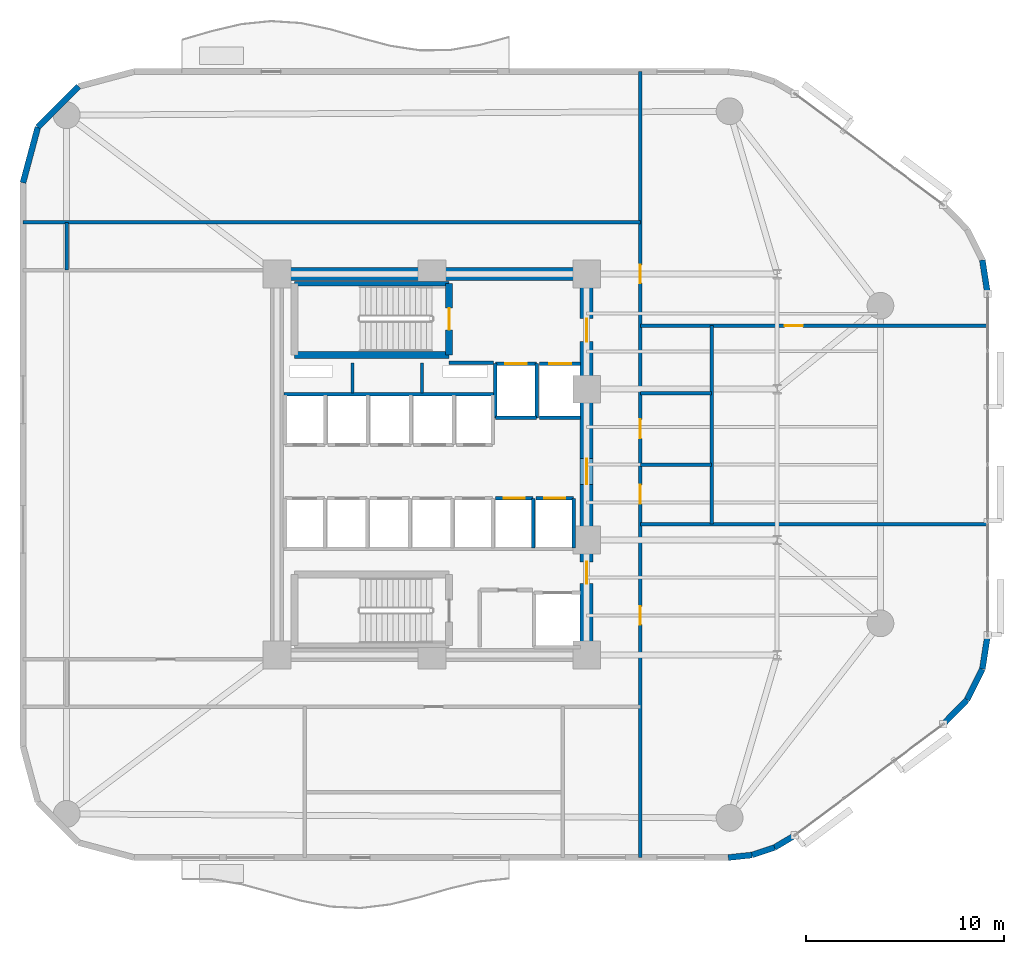
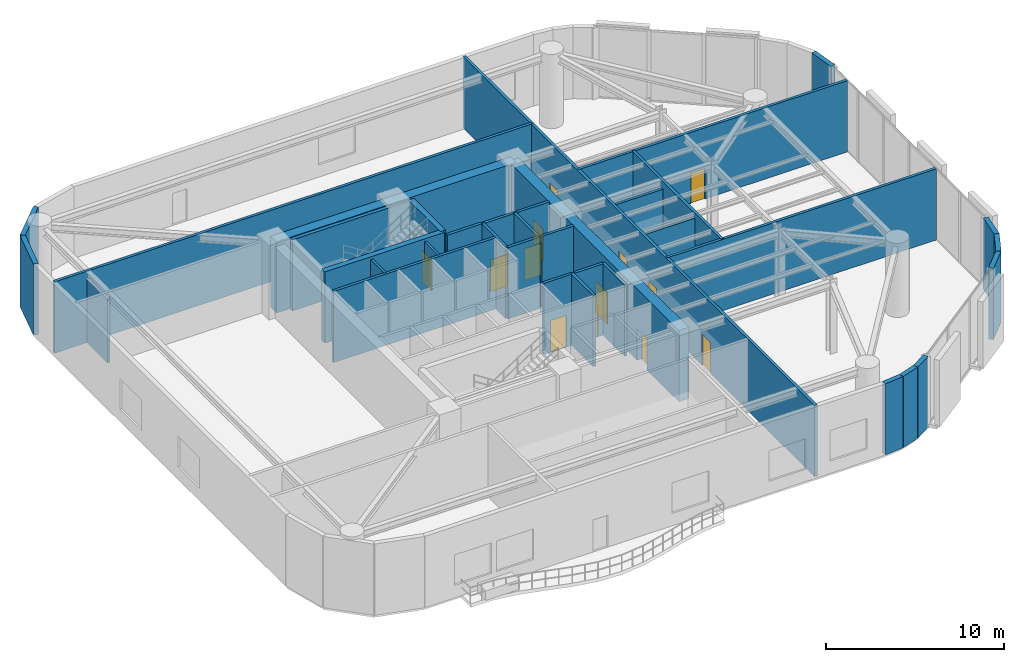
# One storey, part 11 of 14: 36 walls, 13 doors, 13 openings.
"""IFC4 building model written with IfcOpenShell, lengths in metres."""

from ifc_helpers import new_model, si_unit, direction, frame, frame_2d, origin, place, context, subcontext, project, spatial, rectangle, extrude, material, layer, layer_set, type_object, element, fill, save


model = new_model("IFC4")

# Units and contexts
model_context = context("Model", 3, precision=1e-05, world=origin(), true_north=direction((0.0, 1.0)))
body_context = subcontext(model_context, "Body", "Model", "MODEL_VIEW")
ifc_project = project(units=[si_unit("LENGTHUNIT", "METRE"), si_unit("AREAUNIT", "SQUARE_METRE"), si_unit("VOLUMEUNIT", "CUBIC_METRE"), si_unit("PLANEANGLEUNIT", "RADIAN"), si_unit("MASSUNIT", "GRAM", prefix="KILO")], contexts=[model_context])

# Site, building, storey
site_placement = place(None, origin())
site = spatial("IfcSite", under=ifc_project, at=site_placement, CompositionType="ELEMENT")
building_placement = place(site_placement, origin())
building = spatial("IfcBuilding", under=site, at=building_placement, Name="An Khanh Terracotta Commons", CompositionType="ELEMENT")
storey_placement = place(building_placement, frame((0.0, 0.0, 81.199951171875)))
storey = spatial("IfcBuildingStorey", under=building, at=storey_placement, Name="L21", CompositionType="ELEMENT", Elevation=81.199951171875)

# Wall
ifc_material_1 = material(Name="Concrete C60/75", Category="concrete")
ifc_layer_1 = layer(ifc_material_1, 0.64990234375, Name="Concrete C60/75")
ifc_layer_set_1 = layer_set([ifc_layer_1], Name="Concrete C60/75")
wall_type_1 = type_object("IfcWallType", Name="WALL-CORE-650", PredefinedType="SHEAR", material=ifc_layer_set_1)
wall_1_placement = place(storey_placement, frame((21.60009765625, 33.60009765625, 0.0), z_axis=(0.0, 0.0, 1.0), x_axis=(1.0, 0.0, 0.0)))
element("IfcWall", 1, at=wall_1_placement, inside=storey, type_object=wall_type_1, Name="L21 Core Wall CWALL-L21-N", PredefinedType="SHEAR", context=body_context, shape_type="SweptSolid", body=[
    extrude(rectangle(XDim=15.599853515625, YDim=0.64990234375, at=frame_2d((7.7998046875, 0.0))), origin(), (0.0, 0.0, 1.0), 4.900146484375),
])

# Wall, openings, doors
wall_2_placement = place(storey_placement, frame((37.199951171875, 14.39990234375, 0.0), z_axis=(0.0, 0.0, 1.0), x_axis=(0.0, 1.0, 0.0)))
wall_2 = element("IfcWall", 2, at=wall_2_placement, inside=storey, type_object=wall_type_1, Name="L21 Core Wall CWALL-L21-E", PredefinedType="SHEAR", context=body_context, shape_type="SweptSolid", body=[
    extrude(rectangle(XDim=19.2001953125, YDim=0.64990234375, at=frame_2d((9.60009765625, 0.0))), origin(), (0.0, 0.0, 1.0), 4.900146484375),
])
opening_1_placement = place(wall_2_placement, frame((15.800048828125, 0.0, 0.0)))
opening_1 = element("IfcOpeningElement", 3, at=opening_1_placement, cuts=wall_2, Name="Opening D-FFL", PredefinedType="OPENING", context=body_context, shape_type="SweptSolid", body=[
    extrude(rectangle(XDim=1.14990234375, YDim=2.14990234375, at=frame_2d((0.574951171875, 1.074951171875))), frame((0.0, 0.3349609375, 0.0), z_axis=(0.0, -1.0, 0.0), x_axis=(1.0, 0.0, 0.0)), (0.0, 0.0, 1.0), 0.669921875),
])
opening_2_placement = place(wall_2_placement, frame((3.60009765625, 0.0, 0.0)))
opening_2 = element("IfcOpeningElement", 4, at=opening_2_placement, cuts=wall_2, Name="Opening D-ST", PredefinedType="OPENING", context=body_context, shape_type="SweptSolid", body=[
    extrude(rectangle(XDim=1.10009765625, YDim=2.14990234375, at=frame_2d((0.550048828125, 1.074951171875))), frame((0.0, 0.3349609375, 0.0), z_axis=(0.0, -1.0, 0.0), x_axis=(1.0, 0.0, 0.0)), (0.0, 0.0, 1.0), 0.669921875),
])
opening_3_placement = place(wall_2_placement, frame((8.60009765625, 0.0, 0.0)))
opening_3 = element("IfcOpeningElement", 5, at=opening_3_placement, cuts=wall_2, Name="Opening D-COR", PredefinedType="OPENING", context=body_context, shape_type="SweptSolid", body=[
    extrude(rectangle(XDim=1.300048828125, YDim=2.199951171875, at=frame_2d((0.64990234375, 1.10009765625))), frame((0.0, 0.3349609375, 0.0), z_axis=(0.0, -1.0, 0.0), x_axis=(1.0, 0.0, 0.0)), (0.0, 0.0, 1.0), 0.669921875),
])
ifc_material_2 = material(Name="Fire-Rated Glazed Steel Double Door", Category="steel")
door_type_1 = type_object("IfcDoorType", Name="DOOR-CORR-1300", OperationType="NOTDEFINED", PredefinedType="DOOR", material=ifc_material_2)
door_1_placement = place(opening_3_placement, origin())
door_1 = element("IfcDoor", 6, at=door_1_placement, inside=storey, type_object=door_type_1, Name="L21 Passenger Lift Lobby Double Door", OperationType="DOUBLE_DOOR_SINGLE_SWING", OverallHeight=2.199951171875, OverallWidth=1.300048828125, PredefinedType="DOOR", context=body_context, shape_type="SweptSolid", body=[
    extrude(rectangle(XDim=1.300048828125, YDim=2.199951171875, at=frame_2d((0.64990234375, 1.10009765625))), frame((0.0, 0.02490234375, 0.0), z_axis=(0.0, -1.0, 0.0), x_axis=(1.0, 0.0, 0.0)), (0.0, 0.0, 1.0), 0.050048828125),
])
fill(opening_3, door_1)
ifc_material_3 = material(Name="Fire-Rated Steel Leaf and Vision Panel", Category="steel")
door_type_2 = type_object("IfcDoorType", Name="DOOR-FFL-1150", OperationType="NOTDEFINED", PredefinedType="DOOR", material=ifc_material_3)
door_2_placement = place(opening_1_placement, origin())
door_2 = element("IfcDoor", 7, at=door_2_placement, inside=storey, type_object=door_type_2, Name="L21 Firefighting Lift Lobby Fire Door", OperationType="SINGLE_SWING_LEFT", OverallHeight=2.14990234375, OverallWidth=1.14990234375, PredefinedType="DOOR", context=body_context, shape_type="SweptSolid", body=[
    extrude(rectangle(XDim=1.14990234375, YDim=2.14990234375, at=frame_2d((0.574951171875, 1.074951171875))), frame((0.0, 0.02490234375, 0.0), z_axis=(0.0, -1.0, 0.0), x_axis=(1.0, 0.0, 0.0)), (0.0, 0.0, 1.0), 0.050048828125),
])
fill(opening_1, door_2)
ifc_material_4 = material(Name="Fire-Rated Steel Leaf and Frame", Category="steel")
door_type_3 = type_object("IfcDoorType", Name="DOOR-STAIR-1100", OperationType="NOTDEFINED", PredefinedType="DOOR", material=ifc_material_4)
door_3_placement = place(opening_2_placement, origin())
door_3 = element("IfcDoor", 8, at=door_3_placement, inside=storey, type_object=door_type_3, Name="L21 South Stair Lobby Fire Door", OperationType="SINGLE_SWING_RIGHT", OverallHeight=2.14990234375, OverallWidth=1.10009765625, PredefinedType="DOOR", context=body_context, shape_type="SweptSolid", body=[
    extrude(rectangle(XDim=1.10009765625, YDim=2.14990234375, at=frame_2d((0.550048828125, 1.074951171875))), frame((0.0, 0.02490234375, 0.0), z_axis=(0.0, -1.0, 0.0), x_axis=(1.0, 0.0, 0.0)), (0.0, 0.0, 1.0), 0.050048828125),
])
fill(opening_2, door_3)

# Walls
ifc_material_5 = material(Name="Fire-Rated Gypsum Board on Steel Stud", Category="steel")
ifc_layer_2 = layer(ifc_material_5, 0.179931640625, Name="Fire-Rated Gypsum Board on Steel Stud")
ifc_layer_set_2 = layer_set([ifc_layer_2], Name="Fire-Rated Gypsum Board on Steel Stud")
wall_type_2 = type_object("IfcWallType", Name="WALL-CORR-180", PredefinedType="PARTITIONING", material=ifc_layer_set_2)
wall_3_placement = place(storey_placement, frame((30.27001953125, 29.1201171875, 0.0), z_axis=(0.0, 0.0, 1.0), x_axis=(1.0, 0.0, 0.0)))
element("IfcWall", 9, at=wall_3_placement, inside=storey, type_object=wall_type_2, Name="L21 Core Wall FFLW-L21-S", PredefinedType="PARTITIONING", context=body_context, shape_type="SweptSolid", body=[
    extrude(rectangle(XDim=2.239990234375, YDim=0.179931640625, at=frame_2d((1.1201171875, 0.0))), origin(), (0.0, 0.0, 1.0), 4.900146484375),
])
wall_4_placement = place(storey_placement, frame((21.949951171875, 27.5400390625, 0.0), z_axis=(0.0, 0.0, 1.0), x_axis=(1.0, 0.0, 0.0)))
element("IfcWall", 10, at=wall_4_placement, inside=storey, type_object=wall_type_2, Name="L21 Core Wall RSRW-L21-S", PredefinedType="PARTITIONING", context=body_context, shape_type="SweptSolid", body=[
    extrude(rectangle(XDim=10.56005859375, YDim=0.179931640625, at=frame_2d((5.280029296875, 0.0))), origin(), (0.0, 0.0, 1.0), 4.900146484375),
])

# Wall, opening, door
wall_5_placement = place(storey_placement, frame((32.60009765625, 29.080078125, 0.0), z_axis=(0.0, 0.0, 1.0), x_axis=(1.0, 0.0, 0.0)))
wall_5 = element("IfcWall", 11, at=wall_5_placement, inside=storey, type_object=wall_type_2, Name="L21 Core Wall LSH-L21-FFL-01-N", PredefinedType="PARTITIONING", context=body_context, shape_type="SweptSolid", body=[
    extrude(rectangle(XDim=2.079833984375, YDim=0.179931640625, at=frame_2d((1.0400390625, 0.0))), origin(), (0.0, 0.0, 1.0), 4.900146484375),
])
opening_4_placement = place(wall_5_placement, frame((0.489990234375, 0.0, 0.0)))
opening_4 = element("IfcOpeningElement", 12, at=opening_4_placement, cuts=wall_5, Name="Opening LD-FFL-01-L21", PredefinedType="OPENING", context=body_context, shape_type="SweptSolid", body=[
    extrude(rectangle(XDim=1.10009765625, YDim=2.199951171875, at=frame_2d((0.550048828125, 1.10009765625))), frame((0.0, 0.099853515625, 0.0), z_axis=(0.0, -1.0, 0.0), x_axis=(1.0, 0.0, 0.0)), (0.0, 0.0, 1.0), 0.199951171875),
])
ifc_material_6 = material(Name="Brushed Stainless Steel Fire Landing Door", Category="steel")
door_type_4 = type_object("IfcDoorType", Name="DOOR-LD-FFL-1100", OperationType="NOTDEFINED", PredefinedType="DOOR", material=ifc_material_6)
door_4_placement = place(opening_4_placement, origin())
door_4 = element("IfcDoor", 13, at=door_4_placement, inside=storey, type_object=door_type_4, Name="L21 Lift FFL-01 Sliding Landing Door", OperationType="DOUBLE_DOOR_SLIDING", OverallHeight=2.199951171875, OverallWidth=1.10009765625, PredefinedType="DOOR", context=body_context, shape_type="SweptSolid", body=[
    extrude(rectangle(XDim=1.10009765625, YDim=2.199951171875, at=frame_2d((0.550048828125, 1.10009765625))), frame((0.0, 0.02490234375, 0.0), z_axis=(0.0, -1.0, 0.0), x_axis=(1.0, 0.0, 0.0)), (0.0, 0.0, 1.0), 0.050048828125),
])
fill(opening_4, door_4)

# Walls
wall_6_placement = place(storey_placement, frame((34.679931640625, 26.35009765625, 0.0), z_axis=(0.0, 0.0, 1.0), x_axis=(-1.0, 0.0, 0.0)))
element("IfcWall", 14, at=wall_6_placement, inside=storey, type_object=wall_type_2, Name="L21 Core Wall LSH-L21-FFL-01-S", PredefinedType="PARTITIONING", context=body_context, shape_type="SweptSolid", body=[
    extrude(rectangle(XDim=2.079833984375, YDim=0.179931640625, at=frame_2d((1.0400390625, 0.0))), origin(), (0.0, 0.0, 1.0), 4.900146484375),
])
for number, where, z_axis, x_axis, name in (
    (15, (34.679931640625, 26.35009765625, 0.0), (0.0, 0.0, 1.0), (0.0, 1.0, 0.0), "L21 Core Wall LSH-L21-FFL-01-E"),
    (16, (32.60009765625, 29.080078125, 0.0), (0.0, 0.0, 1.0), (0.0, -1.0, 0.0), "L21 Core Wall LSH-L21-FFL-01-W"),
):
    element("IfcWall", number, at=place(storey_placement, frame(where, z_axis=z_axis, x_axis=x_axis)), inside=storey, type_object=wall_type_2, Name=name, PredefinedType="PARTITIONING", context=body_context, shape_type="SweptSolid", body=[
        extrude(rectangle(XDim=2.72998046875, YDim=0.179931640625, at=frame_2d((1.364990234375, 0.0))), origin(), (0.0, 0.0, 1.0), 4.900146484375),
    ])

# Wall, opening, door
wall_7_placement = place(storey_placement, frame((34.820068359375, 29.080078125, 0.0), z_axis=(0.0, 0.0, 1.0), x_axis=(1.0, 0.0, 0.0)))
wall_7 = element("IfcWall", 17, at=wall_7_placement, inside=storey, type_object=wall_type_2, Name="L21 Core Wall LSH-L21-FFL-02-N", PredefinedType="PARTITIONING", context=body_context, shape_type="SweptSolid", body=[
    extrude(rectangle(XDim=2.079833984375, YDim=0.179931640625, at=frame_2d((1.0400390625, 0.0))), origin(), (0.0, 0.0, 1.0), 4.900146484375),
])
opening_5_placement = place(wall_7_placement, frame((0.489990234375, 0.0, 0.0)))
opening_5 = element("IfcOpeningElement", 18, at=opening_5_placement, cuts=wall_7, Name="Opening LD-FFL-02-L21", PredefinedType="OPENING", context=body_context, shape_type="SweptSolid", body=[
    extrude(rectangle(XDim=1.10009765625, YDim=2.199951171875, at=frame_2d((0.550048828125, 1.10009765625))), frame((0.0, 0.099853515625, 0.0), z_axis=(0.0, -1.0, 0.0), x_axis=(1.0, 0.0, 0.0)), (0.0, 0.0, 1.0), 0.199951171875),
])
door_5_placement = place(opening_5_placement, origin())
door_5 = element("IfcDoor", 19, at=door_5_placement, inside=storey, type_object=door_type_4, Name="L21 Lift FFL-02 Sliding Landing Door", OperationType="DOUBLE_DOOR_SLIDING", OverallHeight=2.199951171875, OverallWidth=1.10009765625, PredefinedType="DOOR", context=body_context, shape_type="SweptSolid", body=[
    extrude(rectangle(XDim=1.10009765625, YDim=2.199951171875, at=frame_2d((0.550048828125, 1.10009765625))), frame((0.0, 0.02490234375, 0.0), z_axis=(0.0, -1.0, 0.0), x_axis=(1.0, 0.0, 0.0)), (0.0, 0.0, 1.0), 0.050048828125),
])
fill(opening_5, door_5)

# Wall
wall_8_placement = place(storey_placement, frame((36.89990234375, 26.35009765625, 0.0), z_axis=(0.0, 0.0, 1.0), x_axis=(-1.0, 0.0, 0.0)))
element("IfcWall", 20, at=wall_8_placement, inside=storey, type_object=wall_type_2, Name="L21 Core Wall LSH-L21-FFL-02-S", PredefinedType="PARTITIONING", context=body_context, shape_type="SweptSolid", body=[
    extrude(rectangle(XDim=2.079833984375, YDim=0.179931640625, at=frame_2d((1.0400390625, 0.0))), origin(), (0.0, 0.0, 1.0), 4.900146484375),
])

# Wall, opening, door
wall_9_placement = place(storey_placement, frame((32.60009765625, 22.300048828125, 0.0), z_axis=(0.0, 0.0, 1.0), x_axis=(1.0, 0.0, 0.0)))
wall_9 = element("IfcWall", 21, at=wall_9_placement, inside=storey, type_object=wall_type_2, Name="L21 Core Wall LSH-L21-PL-H3-N", PredefinedType="PARTITIONING", context=body_context, shape_type="SweptSolid", body=[
    extrude(rectangle(XDim=1.89990234375, YDim=0.179931640625, at=frame_2d((0.949951171875, 0.0))), origin(), (0.0, 0.0, 1.0), 4.900146484375),
])
opening_6_placement = place(wall_9_placement, frame((0.425048828125, 0.0, 0.0)))
opening_6 = element("IfcOpeningElement", 22, at=opening_6_placement, cuts=wall_9, Name="Opening LD-PL-H3-L21", PredefinedType="OPENING", context=body_context, shape_type="SweptSolid", body=[
    extrude(rectangle(XDim=1.050048828125, YDim=2.199951171875, at=frame_2d((0.52490234375, 1.10009765625))), frame((0.0, 0.099853515625, 0.0), z_axis=(0.0, -1.0, 0.0), x_axis=(1.0, 0.0, 0.0)), (0.0, 0.0, 1.0), 0.199951171875),
])
ifc_material_7 = material(Name="Brushed Stainless Steel High-Rise Landing Door", Category="steel")
door_type_5 = type_object("IfcDoorType", Name="DOOR-LD-PAXH-1050", OperationType="NOTDEFINED", PredefinedType="DOOR", material=ifc_material_7)
door_6_placement = place(opening_6_placement, origin())
door_6 = element("IfcDoor", 23, at=door_6_placement, inside=storey, type_object=door_type_5, Name="L21 Lift PL-H3 Sliding Landing Door", OperationType="DOUBLE_DOOR_SLIDING", OverallHeight=2.199951171875, OverallWidth=1.050048828125, PredefinedType="DOOR", context=body_context, shape_type="SweptSolid", body=[
    extrude(rectangle(XDim=1.050048828125, YDim=2.199951171875, at=frame_2d((0.52490234375, 1.10009765625))), frame((0.0, 0.02490234375, 0.0), z_axis=(0.0, -1.0, 0.0), x_axis=(1.0, 0.0, 0.0)), (0.0, 0.0, 1.0), 0.050048828125),
])
fill(opening_6, door_6)

# Wall
wall_10_placement = place(storey_placement, frame((34.5, 19.800048828125, 0.0), z_axis=(0.0, 0.0, 1.0), x_axis=(0.0, 1.0, 0.0)))
element("IfcWall", 24, at=wall_10_placement, inside=storey, type_object=wall_type_2, Name="L21 Core Wall LSH-L21-PL-H3-E", PredefinedType="PARTITIONING", context=body_context, shape_type="SweptSolid", body=[
    extrude(rectangle(XDim=2.5, YDim=0.179931640625, at=frame_2d((1.25, 0.0))), origin(), (0.0, 0.0, 1.0), 4.900146484375),
])

# Wall, opening, door
wall_11_placement = place(storey_placement, frame((34.639892578125, 22.300048828125, 0.0), z_axis=(0.0, 0.0, 1.0), x_axis=(1.0, 0.0, 0.0)))
wall_11 = element("IfcWall", 25, at=wall_11_placement, inside=storey, type_object=wall_type_2, Name="L21 Core Wall LSH-L21-PL-H4-N", PredefinedType="PARTITIONING", context=body_context, shape_type="SweptSolid", body=[
    extrude(rectangle(XDim=1.900146484375, YDim=0.179931640625, at=frame_2d((0.9501953125, 0.0))), origin(), (0.0, 0.0, 1.0), 4.900146484375),
])
opening_7_placement = place(wall_11_placement, frame((0.425048828125, 0.0, 0.0)))
opening_7 = element("IfcOpeningElement", 26, at=opening_7_placement, cuts=wall_11, Name="Opening LD-PL-H4-L21", PredefinedType="OPENING", context=body_context, shape_type="SweptSolid", body=[
    extrude(rectangle(XDim=1.050048828125, YDim=2.199951171875, at=frame_2d((0.52490234375, 1.10009765625))), frame((0.0, 0.099853515625, 0.0), z_axis=(0.0, -1.0, 0.0), x_axis=(1.0, 0.0, 0.0)), (0.0, 0.0, 1.0), 0.199951171875),
])
door_7_placement = place(opening_7_placement, origin())
door_7 = element("IfcDoor", 27, at=door_7_placement, inside=storey, type_object=door_type_5, Name="L21 Lift PL-H4 Sliding Landing Door", OperationType="DOUBLE_DOOR_SLIDING", OverallHeight=2.199951171875, OverallWidth=1.050048828125, PredefinedType="DOOR", context=body_context, shape_type="SweptSolid", body=[
    extrude(rectangle(XDim=1.050048828125, YDim=2.199951171875, at=frame_2d((0.52490234375, 1.10009765625))), frame((0.0, 0.02490234375, 0.0), z_axis=(0.0, -1.0, 0.0), x_axis=(1.0, 0.0, 0.0)), (0.0, 0.0, 1.0), 0.050048828125),
])
fill(opening_7, door_7)

# Walls
wall_12_placement = place(storey_placement, frame((36.5400390625, 19.800048828125, 0.0), z_axis=(0.0, 0.0, 1.0), x_axis=(0.0, 1.0, 0.0)))
element("IfcWall", 28, at=wall_12_placement, inside=storey, type_object=wall_type_2, Name="L21 Core Wall LSH-L21-PL-H4-E", PredefinedType="PARTITIONING", context=body_context, shape_type="SweptSolid", body=[
    extrude(rectangle(XDim=2.5, YDim=0.179931640625, at=frame_2d((1.25, 0.0))), origin(), (0.0, 0.0, 1.0), 4.900146484375),
])
wall_13_placement = place(storey_placement, frame((39.89990234375, 21.0, 0.0), z_axis=(0.0, 0.0, 1.0), x_axis=(1.0, 0.0, 0.0)))
element("IfcWall", 29, at=wall_13_placement, inside=storey, type_object=wall_type_2, Name="L21 Interior Partition IW-L21-E004", PredefinedType="PARTITIONING", context=body_context, shape_type="SweptSolid", body=[
    extrude(rectangle(XDim=17.5, YDim=0.179931640625, at=frame_2d((8.75, 0.0))), origin(), (0.0, 0.0, 1.0), 4.900146484375),
])
wall_14_placement = place(storey_placement, frame((39.89990234375, 24.0, 0.0), z_axis=(0.0, 0.0, 1.0), x_axis=(1.0, 0.0, 0.0)))
element("IfcWall", 30, at=wall_14_placement, inside=storey, type_object=wall_type_2, Name="L21 Interior Partition IW-L21-E005", PredefinedType="PARTITIONING", context=body_context, shape_type="SweptSolid", body=[
    extrude(rectangle(XDim=3.60009765625, YDim=0.179931640625, at=frame_2d((1.800048828125, 0.0))), origin(), (0.0, 0.0, 1.0), 4.58203125),
])
wall_15_placement = place(storey_placement, frame((39.89990234375, 27.60009765625, 0.0), z_axis=(0.0, 0.0, 1.0), x_axis=(1.0, 0.0, 0.0)))
element("IfcWall", 31, at=wall_15_placement, inside=storey, type_object=wall_type_2, Name="L21 Interior Partition IW-L21-E006", PredefinedType="PARTITIONING", context=body_context, shape_type="SweptSolid", body=[
    extrude(rectangle(XDim=3.60009765625, YDim=0.179931640625, at=frame_2d((1.800048828125, 0.0))), origin(), (0.0, 0.0, 1.0), 4.382080078125),
])

# Wall, opening, door
wall_16_placement = place(storey_placement, frame((39.89990234375, 31.0, 0.0), z_axis=(0.0, 0.0, 1.0), x_axis=(1.0, 0.0, 0.0)))
wall_16 = element("IfcWall", 32, at=wall_16_placement, inside=storey, type_object=wall_type_2, Name="L21 Interior Partition IW-L21-E007", PredefinedType="PARTITIONING", context=body_context, shape_type="SweptSolid", body=[
    extrude(rectangle(XDim=17.5, YDim=0.179931640625, at=frame_2d((8.75, 0.0))), origin(), (0.0, 0.0, 1.0), 4.900146484375),
])
opening_8_placement = place(wall_16_placement, frame((7.278076171875, 0.0, 0.0)))
opening_8 = element("IfcOpeningElement", 33, at=opening_8_placement, cuts=wall_16, Name="Opening D-RM", PredefinedType="OPENING", context=body_context, shape_type="SweptSolid", body=[
    extrude(rectangle(XDim=0.919921875, YDim=2.10009765625, at=frame_2d((0.4599609375, 1.050048828125))), frame((0.0, 0.099853515625, 0.0), z_axis=(0.0, -1.0, 0.0), x_axis=(1.0, 0.0, 0.0)), (0.0, 0.0, 1.0), 0.199951171875),
])
ifc_material_8 = material(Name="Engineered Hardwood Timber Leaf", Category="wood")
door_type_6 = type_object("IfcDoorType", Name="DOOR-INT-920", OperationType="NOTDEFINED", PredefinedType="DOOR", material=ifc_material_8)
door_8_placement = place(opening_8_placement, origin())
door_8 = element("IfcDoor", 34, at=door_8_placement, inside=storey, type_object=door_type_6, Name="L21 SKIT Low-Mid Sky Culinary Hub Door", OperationType="SINGLE_SWING_RIGHT", OverallHeight=2.10009765625, OverallWidth=0.919921875, PredefinedType="DOOR", context=body_context, shape_type="SweptSolid", body=[
    extrude(rectangle(XDim=0.919921875, YDim=2.10009765625, at=frame_2d((0.4599609375, 1.050048828125))), frame((0.0, 0.02490234375, 0.0), z_axis=(0.0, -1.0, 0.0), x_axis=(1.0, 0.0, 0.0)), (0.0, 0.0, 1.0), 0.050048828125),
])
fill(opening_8, door_8)

# Walls
wall_17_placement = place(storey_placement, frame((8.800048828125, 36.199951171875, 0.0), z_axis=(0.0, 0.0, 1.0), x_axis=(1.0, 0.0, 0.0)))
element("IfcWall", 35, at=wall_17_placement, inside=storey, type_object=wall_type_2, Name="L21 Interior Partition IW-L21-E009", PredefinedType="PARTITIONING", context=body_context, shape_type="SweptSolid", body=[
    extrude(rectangle(XDim=31.099853515625, YDim=0.179931640625, at=frame_2d((15.5498046875, 0.0))), origin(), (0.0, 0.0, 1.0), 4.900146484375),
])
wall_18_placement = place(storey_placement, frame((11.0, 33.800048828125, 0.0), z_axis=(0.0, 0.0, 1.0), x_axis=(0.0, 1.0, 0.0)))
element("IfcWall", 36, at=wall_18_placement, inside=storey, type_object=wall_type_2, Name="L21 Interior Partition IW-L21-E011", PredefinedType="PARTITIONING", context=body_context, shape_type="SweptSolid", body=[
    extrude(rectangle(XDim=2.39990234375, YDim=0.179931640625, at=frame_2d((1.199951171875, 0.0))), origin(), (0.0, 0.0, 1.0), 4.382080078125),
])

# Wall, openings, doors
wall_19_placement = place(storey_placement, frame((39.89990234375, 4.199951171875, 0.0), z_axis=(0.0, 0.0, 1.0), x_axis=(0.0, 1.0, 0.0)))
wall_19 = element("IfcWall", 37, at=wall_19_placement, inside=storey, type_object=wall_type_2, Name="L21 Interior Partition IW-L21-E014", PredefinedType="PARTITIONING", context=body_context, shape_type="SweptSolid", body=[
    extrude(rectangle(XDim=39.60009765625, YDim=0.179931640625, at=frame_2d((19.800048828125, 0.0))), origin(), (0.0, 0.0, 1.0), 4.900146484375),
])
opening_9_placement = place(wall_19_placement, frame((17.824951171875, 0.0, 0.0)))
opening_9 = element("IfcOpeningElement", 38, at=opening_9_placement, cuts=wall_19, Name="Opening D-LWC", PredefinedType="OPENING", context=body_context, shape_type="SweptSolid", body=[
    extrude(rectangle(XDim=0.949951171875, YDim=2.14990234375, at=frame_2d((0.47509765625, 1.074951171875))), frame((0.0, 0.099853515625, 0.0), z_axis=(0.0, -1.0, 0.0), x_axis=(1.0, 0.0, 0.0)), (0.0, 0.0, 1.0), 0.199951171875),
])
opening_10_placement = place(wall_19_placement, frame((21.125, 0.0, 0.0)))
opening_10 = element("IfcOpeningElement", 39, at=opening_10_placement, cuts=wall_19, Name="Opening D-LWC", PredefinedType="OPENING", context=body_context, shape_type="SweptSolid", body=[
    extrude(rectangle(XDim=0.949951171875, YDim=2.14990234375, at=frame_2d((0.47509765625, 1.074951171875))), frame((0.0, 0.099853515625, 0.0), z_axis=(0.0, -1.0, 0.0), x_axis=(1.0, 0.0, 0.0)), (0.0, 0.0, 1.0), 0.199951171875),
])
opening_11_placement = place(wall_19_placement, frame((28.93994140625, 0.0, 0.0)))
opening_11 = element("IfcOpeningElement", 40, at=opening_11_placement, cuts=wall_19, Name="Opening D-RM", PredefinedType="OPENING", context=body_context, shape_type="SweptSolid", body=[
    extrude(rectangle(XDim=0.919921875, YDim=2.10009765625, at=frame_2d((0.4599609375, 1.050048828125))), frame((0.0, 0.099853515625, 0.0), z_axis=(0.0, -1.0, 0.0), x_axis=(1.0, 0.0, 0.0)), (0.0, 0.0, 1.0), 0.199951171875),
])
opening_12_placement = place(wall_19_placement, frame((11.739990234375, 0.0, 0.0)))
opening_12 = element("IfcOpeningElement", 41, at=opening_12_placement, cuts=wall_19, Name="Opening D-RM", PredefinedType="OPENING", context=body_context, shape_type="SweptSolid", body=[
    extrude(rectangle(XDim=0.919921875, YDim=2.10009765625, at=frame_2d((0.4599609375, 1.050048828125))), frame((0.0, 0.099853515625, 0.0), z_axis=(0.0, -1.0, 0.0), x_axis=(1.0, 0.0, 0.0)), (0.0, 0.0, 1.0), 0.199951171875),
])
door_9_placement = place(opening_11_placement, origin())
door_9 = element("IfcDoor", 42, at=door_9_placement, inside=storey, type_object=door_type_6, Name="L21 SLNG Riverfront Reading Lounge Door", OperationType="SINGLE_SWING_LEFT", OverallHeight=2.10009765625, OverallWidth=0.919921875, PredefinedType="DOOR", context=body_context, shape_type="SweptSolid", body=[
    extrude(rectangle(XDim=0.919921875, YDim=2.10009765625, at=frame_2d((0.4599609375, 1.050048828125))), frame((0.0, 0.02490234375, 0.0), z_axis=(0.0, -1.0, 0.0), x_axis=(1.0, 0.0, 0.0)), (0.0, 0.0, 1.0), 0.050048828125),
])
fill(opening_11, door_9)
door_10_placement = place(opening_12_placement, origin())
door_10 = element("IfcDoor", 43, at=door_10_placement, inside=storey, type_object=door_type_6, Name="L21 SSEM Postgraduate Colloquium Room Door", OperationType="SINGLE_SWING_RIGHT", OverallHeight=2.10009765625, OverallWidth=0.919921875, PredefinedType="DOOR", context=body_context, shape_type="SweptSolid", body=[
    extrude(rectangle(XDim=0.919921875, YDim=2.10009765625, at=frame_2d((0.4599609375, 1.050048828125))), frame((0.0, 0.02490234375, 0.0), z_axis=(0.0, -1.0, 0.0), x_axis=(1.0, 0.0, 0.0)), (0.0, 0.0, 1.0), 0.050048828125),
])
fill(opening_12, door_10)
ifc_material_9 = material(Name="Fire-Rated Moisture-Resistant Laminate Timber Leaf", Category="wood")
door_type_7 = type_object("IfcDoorType", Name="DOOR-LOBWC-950", OperationType="NOTDEFINED", PredefinedType="DOOR", material=ifc_material_9)
door_11_placement = place(opening_9_placement, origin())
door_11 = element("IfcDoor", 44, at=door_11_placement, inside=storey, type_object=door_type_7, Name="L21 AWC Sky Lobby Accessible WC Door", OperationType="SINGLE_SWING_RIGHT", OverallHeight=2.14990234375, OverallWidth=0.949951171875, PredefinedType="DOOR", context=body_context, shape_type="SweptSolid", body=[
    extrude(rectangle(XDim=0.949951171875, YDim=2.14990234375, at=frame_2d((0.47509765625, 1.074951171875))), frame((0.0, 0.02490234375, 0.0), z_axis=(0.0, -1.0, 0.0), x_axis=(1.0, 0.0, 0.0)), (0.0, 0.0, 1.0), 0.050048828125),
])
fill(opening_9, door_11)
door_12_placement = place(opening_10_placement, origin())
door_12 = element("IfcDoor", 45, at=door_12_placement, inside=storey, type_object=door_type_7, Name="L21 WCB Sky Lobby Public Restrooms Door", OperationType="SINGLE_SWING_LEFT", OverallHeight=2.14990234375, OverallWidth=0.949951171875, PredefinedType="DOOR", context=body_context, shape_type="SweptSolid", body=[
    extrude(rectangle(XDim=0.949951171875, YDim=2.14990234375, at=frame_2d((0.47509765625, 1.074951171875))), frame((0.0, 0.02490234375, 0.0), z_axis=(0.0, -1.0, 0.0), x_axis=(1.0, 0.0, 0.0)), (0.0, 0.0, 1.0), 0.050048828125),
])
fill(opening_10, door_12)

# Walls
wall_20_placement = place(storey_placement, frame((43.5, 21.0, 0.0), z_axis=(0.0, 0.0, 1.0), x_axis=(0.0, 1.0, 0.0)))
element("IfcWall", 46, at=wall_20_placement, inside=storey, type_object=wall_type_2, Name="L21 Interior Partition IW-L21-E015", PredefinedType="PARTITIONING", context=body_context, shape_type="SweptSolid", body=[
    extrude(rectangle(XDim=10.0, YDim=0.179931640625, at=frame_2d((5.0, 0.0))), origin(), (0.0, 0.0, 1.0), 4.900146484375),
])
ifc_material_10 = material(Name="Precast concrete C40/50", Category="concrete")
ifc_layer_3 = layer(ifc_material_10, 0.300048828125, Name="Precast concrete C40/50")
ifc_layer_set_3 = layer_set([ifc_layer_3], Name="Precast concrete C40/50")
wall_type_3 = type_object("IfcWallType", Name="WALL-EXT-300", PredefinedType="SOLIDWALL", material=ifc_layer_set_3)
wall_21_placement = place(storey_placement, frame((44.3330078125, 4.199951171875, 0.0), z_axis=(0.0, 0.0, 1.0), x_axis=(0.994289103787, 0.106720092254, 0.0)))
element("IfcWall", 47, at=wall_21_placement, inside=storey, type_object=wall_type_3, Name="L21 Insulated Terracotta Exterior Wall 5", PredefinedType="SOLIDWALL", context=body_context, shape_type="SweptSolid", body=[
    extrude(rectangle(XDim=1.19873046875, YDim=0.300048828125, at=frame_2d((0.599365234375, 0.0))), origin(), (0.0, 0.0, 1.0), 4.900146484375),
])
wall_22_placement = place(storey_placement, frame((45.52490234375, 4.327880859375, 0.0), z_axis=(0.0, 0.0, 1.0), x_axis=(0.948744332129, 0.316044604847, 0.0)))
element("IfcWall", 48, at=wall_22_placement, inside=storey, type_object=wall_type_3, Name="L21 Insulated Terracotta Exterior Wall 6", PredefinedType="SOLIDWALL", context=body_context, shape_type="SweptSolid", body=[
    extrude(rectangle(XDim=1.19970703125, YDim=0.300048828125, at=frame_2d((0.599853515625, 0.0))), origin(), (0.0, 0.0, 1.0), 4.900146484375),
])
wall_23_placement = place(storey_placement, frame((46.6630859375, 4.70703125, 0.0), z_axis=(0.0, 0.0, 1.0), x_axis=(0.859320591642, 0.511437308749, 0.0)))
element("IfcWall", 49, at=wall_23_placement, inside=storey, type_object=wall_type_3, Name="L21 Insulated Terracotta Exterior Wall 7", PredefinedType="SOLIDWALL", context=body_context, shape_type="SweptSolid", body=[
    extrude(rectangle(XDim=1.19873046875, YDim=0.300048828125, at=frame_2d((0.599365234375, 0.0))), origin(), (0.0, 0.0, 1.0), 4.900146484375),
])
for number, where, z_axis, x_axis, name in (
    (50, (55.159912109375, 10.919921875, 0.0), (0.0, 0.0, 1.0), (0.6983450845, 0.715761233201, 0.0), "L21 Insulated Terracotta Exterior Wall 9"),
    (51, (56.364013671875, 12.154052734375, 0.0), (0.0, 0.0, 1.0), (0.4472135955, 0.894427191, 0.0), "L21 Insulated Terracotta Exterior Wall 10"),
):
    element("IfcWall", number, at=place(storey_placement, frame(where, z_axis=z_axis, x_axis=x_axis)), inside=storey, type_object=wall_type_3, Name=name, PredefinedType="SOLIDWALL", context=body_context, shape_type="SweptSolid", body=[
        extrude(rectangle(XDim=1.72412109375, YDim=0.300048828125, at=frame_2d((0.862060546875, 0.0))), origin(), (0.0, 0.0, 1.0), 4.900146484375),
    ])
for number, where, z_axis, x_axis, name in (
    (52, (57.135009765625, 13.696044921875, 0.0), (0.0, 0.0, 1.0), (0.153620989032, 0.988129845581, 0.0), "L21 Insulated Terracotta Exterior Wall 11"),
    (53, (57.39990234375, 32.60009765625, 0.0), (0.0, 0.0, 1.0), (-0.153620989032, 0.988129845581, 0.0), "L21 Insulated Terracotta Exterior Wall 13"),
):
    element("IfcWall", number, at=place(storey_placement, frame(where, z_axis=z_axis, x_axis=x_axis)), inside=storey, type_object=wall_type_3, Name=name, PredefinedType="SOLIDWALL", context=body_context, shape_type="SweptSolid", body=[
        extrude(rectangle(XDim=1.724365234375, YDim=0.300048828125, at=frame_2d((0.8623046875, 0.0))), origin(), (0.0, 0.0, 1.0), 4.900146484375),
    ])
wall_24_placement = place(storey_placement, frame((11.60009765625, 43.050048828125, 0.0), z_axis=(0.0, 0.0, 1.0), x_axis=(-0.707106781187, -0.707106781187, 0.0)))
element("IfcWall", 54, at=wall_24_placement, inside=storey, type_object=wall_type_3, Name="L21 Insulated Terracotta Exterior Wall 22", PredefinedType="SOLIDWALL", context=body_context, shape_type="SweptSolid", body=[
    extrude(rectangle(XDim=2.899169921875, YDim=0.300048828125, at=frame_2d((1.44970703125, 0.0))), origin(), (0.0, 0.0, 1.0), 4.900146484375),
])
wall_25_placement = place(storey_placement, frame((9.550048828125, 41.0, 0.0), z_axis=(0.0, 0.0, 1.0), x_axis=(-0.258731875344, -0.96594917914, 0.0)))
element("IfcWall", 55, at=wall_25_placement, inside=storey, type_object=wall_type_3, Name="L21 Insulated Terracotta Exterior Wall 23", PredefinedType="SOLIDWALL", context=body_context, shape_type="SweptSolid", body=[
    extrude(rectangle(XDim=2.898681640625, YDim=0.300048828125, at=frame_2d((1.44921875, 0.0))), origin(), (0.0, 0.0, 1.0), 4.900146484375),
])
ifc_material_11 = material(Name="Acoustic Gypsum Board Partition")
ifc_layer_4 = layer(ifc_material_11, 0.14990234375, Name="Acoustic Gypsum Board Partition")
ifc_layer_set_4 = layer_set([ifc_layer_4], Name="Acoustic Gypsum Board Partition")
wall_type_4 = type_object("IfcWallType", Name="WALL-PART-150", PredefinedType="PARTITIONING", material=ifc_layer_set_4)
for number, where, z_axis, x_axis, name in (
    (56, (25.39990234375, 27.60009765625, 0.0), (0.0, 0.0, 1.0), (0.0, 1.0, 0.0), "L21 Core Wall RSRW-L21-D1"),
    (57, (28.89990234375, 27.60009765625, 0.0), (0.0, 0.0, 1.0), (0.0, 1.0, 0.0), "L21 Core Wall RSRW-L21-D2"),
):
    element("IfcWall", number, at=place(storey_placement, frame(where, z_axis=z_axis, x_axis=x_axis)), inside=storey, type_object=wall_type_4, Name=name, PredefinedType="PARTITIONING", context=body_context, shape_type="SweptSolid", body=[
        extrude(rectangle(XDim=1.52001953125, YDim=0.14990234375, at=frame_2d((0.760009765625, 0.0))), origin(), (0.0, 0.0, 1.0), 4.900146484375),
    ])
ifc_material_12 = material(Name="Acoustic Double-Stud Gypsum and Mineral Wool")
ifc_layer_5 = layer(ifc_material_12, 0.219970703125, Name="Acoustic Double-Stud Gypsum and Mineral Wool")
ifc_layer_set_5 = layer_set([ifc_layer_5], Name="Acoustic Double-Stud Gypsum and Mineral Wool")
wall_type_5 = type_object("IfcWallType", Name="WALL-PARTY-220", PredefinedType="PARTITIONING", material=ifc_layer_set_5)
wall_26_placement = place(storey_placement, frame((22.47998046875, 33.110107421875, 0.0), z_axis=(0.0, 0.0, 1.0), x_axis=(1.0, 0.0, 0.0)))
element("IfcWall", 58, at=wall_26_placement, inside=storey, type_object=wall_type_5, Name="L21 Core Wall STW-L21-N-N", PredefinedType="PARTITIONING", context=body_context, shape_type="SweptSolid", body=[
    extrude(rectangle(XDim=7.7900390625, YDim=0.219970703125, at=frame_2d((3.89501953125, 0.0))), origin(), (0.0, 0.0, 1.0), 4.900146484375),
])
ifc_material_13 = material(Name="Concrete C50/60", Category="concrete")
ifc_layer_6 = layer(ifc_material_13, 0.35009765625, Name="Concrete C50/60")
ifc_layer_set_6 = layer_set([ifc_layer_6], Name="Concrete C50/60")
wall_type_6 = type_object("IfcWallType", Name="WALL-SHAFT-350", PredefinedType="SOLIDWALL", material=ifc_layer_set_6)
wall_27_placement = place(storey_placement, frame((22.47998046875, 29.530029296875, 0.0), z_axis=(0.0, 0.0, 1.0), x_axis=(1.0, 0.0, 0.0)))
element("IfcWall", 59, at=wall_27_placement, inside=storey, type_object=wall_type_6, Name="L21 Core Wall STW-L21-N-S", PredefinedType="SOLIDWALL", context=body_context, shape_type="SweptSolid", body=[
    extrude(rectangle(XDim=7.7900390625, YDim=0.35009765625, at=frame_2d((3.89501953125, 0.0))), origin(), (0.0, 0.0, 1.0), 4.900146484375),
])

# Wall, opening, door
wall_28_placement = place(storey_placement, frame((30.27001953125, 29.530029296875, 0.0), z_axis=(0.0, 0.0, 1.0), x_axis=(0.0, 1.0, 0.0)))
wall_28 = element("IfcWall", 60, at=wall_28_placement, inside=storey, type_object=wall_type_6, Name="L21 Core Wall STW-L21-N-E", PredefinedType="SOLIDWALL", context=body_context, shape_type="SweptSolid", body=[
    extrude(rectangle(XDim=3.580078125, YDim=0.35009765625, at=frame_2d((1.7900390625, 0.0))), origin(), (0.0, 0.0, 1.0), 4.900146484375),
])
opening_13_placement = place(wall_28_placement, frame((1.25, 0.0, 0.0)))
opening_13 = element("IfcOpeningElement", 61, at=opening_13_placement, cuts=wall_28, Name="Opening D-ST", PredefinedType="OPENING", context=body_context, shape_type="SweptSolid", body=[
    extrude(rectangle(XDim=1.10009765625, YDim=2.14990234375, at=frame_2d((0.550048828125, 1.074951171875))), frame((0.0, 0.18505859375, 0.0), z_axis=(0.0, -1.0, 0.0), x_axis=(1.0, 0.0, 0.0)), (0.0, 0.0, 1.0), 0.3701171875),
])
door_13_placement = place(opening_13_placement, origin())
door_13 = element("IfcDoor", 62, at=door_13_placement, inside=storey, type_object=door_type_3, Name="L21 Stair ST-01 Fire Door", OperationType="SINGLE_SWING_LEFT", OverallHeight=2.14990234375, OverallWidth=1.10009765625, PredefinedType="DOOR", context=body_context, shape_type="SweptSolid", body=[
    extrude(rectangle(XDim=1.10009765625, YDim=2.14990234375, at=frame_2d((0.550048828125, 1.074951171875))), frame((0.0, 0.02490234375, 0.0), z_axis=(0.0, -1.0, 0.0), x_axis=(1.0, 0.0, 0.0)), (0.0, 0.0, 1.0), 0.050048828125),
])
fill(opening_13, door_13)

save(model, "model.ifc")
